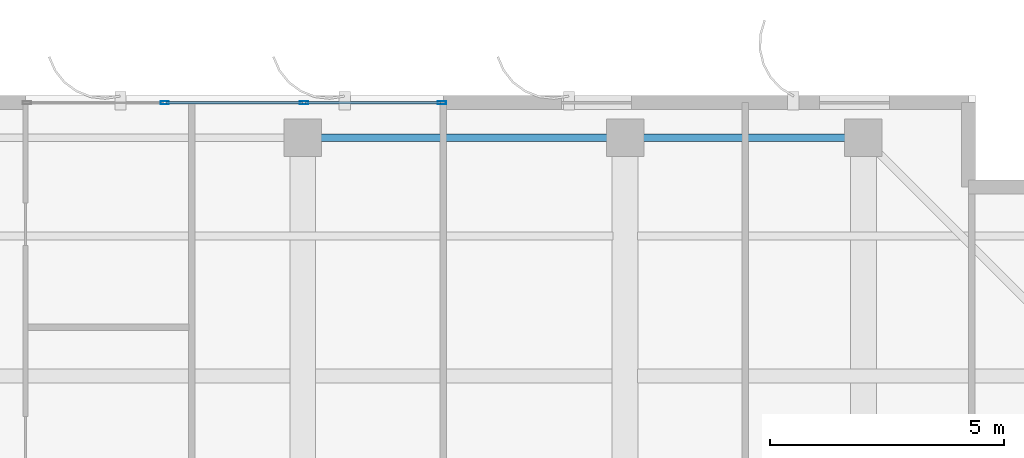
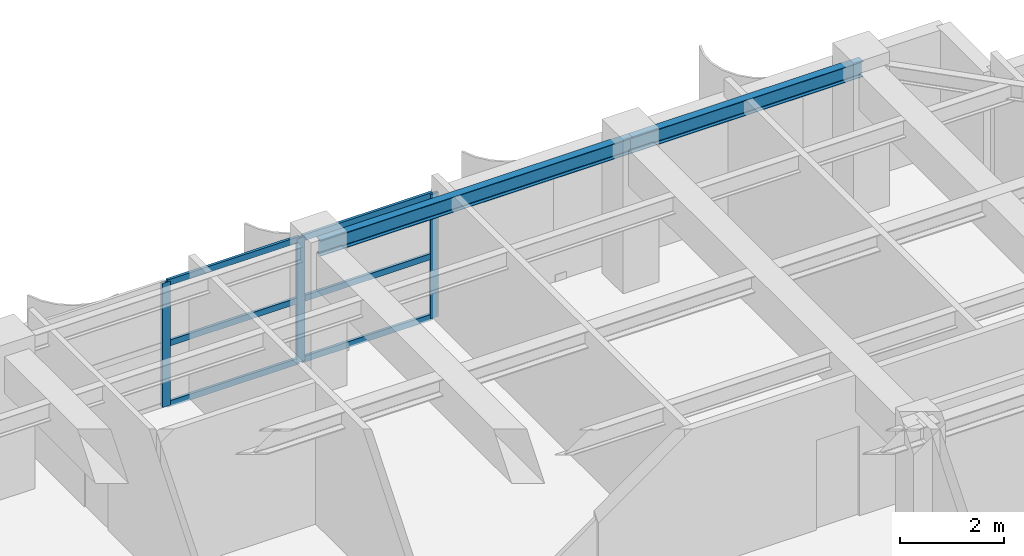
# One storey, part 12 of 19: 9 members, 2 beams, 1 element without a shape of its own.
"""IFC4 building model written with IfcOpenShell, lengths in metres."""

from ifc_helpers import new_model, si_unit, direction, frame, origin, origin_2d, place, context, subcontext, project, spatial, hollow_rectangle, i_section, extrude, source, transform, mapped, material, layer, layer_set, material_profile, profile_set, type_object, element, aggregate, save


model = new_model("IFC4")

# Units and contexts
model_context = context("Model", 3, precision=1e-05, world=origin(), true_north=direction((0.0, 1.0)))
body_context = subcontext(model_context, "Body", "Model", "MODEL_VIEW")
ifc_project = project(units=[si_unit("LENGTHUNIT", "METRE"), si_unit("AREAUNIT", "SQUARE_METRE"), si_unit("VOLUMEUNIT", "CUBIC_METRE"), si_unit("PLANEANGLEUNIT", "RADIAN"), si_unit("MASSUNIT", "GRAM", prefix="KILO")], contexts=[model_context])

# Site, building, storey
site_placement = place(None, origin())
site = spatial("IfcSite", under=ifc_project, at=site_placement, CompositionType="ELEMENT")
building_placement = place(site_placement, origin())
building = spatial("IfcBuilding", under=site, at=building_placement, Name="Khoralis Quay Care Tower", CompositionType="ELEMENT")
storey_placement = place(building_placement, frame((0.0, 0.0, 281.699951171875)))
storey = spatial("IfcBuildingStorey", under=building, at=storey_placement, Name="L74", CompositionType="ELEMENT", Elevation=281.699951171875)

# Beams
ifc_material_1 = material(Name="Steel S355", Category="steel")
ifc_material_profile_1 = material_profile(ifc_material_1, i_section(OverallWidth=0.169921875, OverallDepth=0.360107421875, WebThickness=0.008056640625, FlangeThickness=0.0126953125, FilletRadius=0.01806640625, at=origin_2d()), Name="Steel S355")
ifc_profile_set_1 = profile_set([ifc_material_profile_1], Name="Steel S355")
beam_type = type_object("IfcBeamType", Name="BM-IPE360", PredefinedType="SPANDREL", material=ifc_profile_set_1)
shared_shape_1 = source(origin(), body_context, "Body", "SweptSolid", [
    extrude(i_section(OverallWidth=0.169921875, OverallDepth=0.360107421875, WebThickness=0.008056640625, FlangeThickness=0.0126953125, FilletRadius=0.01806640625, at=origin_2d()), origin(), (0.0, 0.0, 1.0), 5.10009765625),
])
beam_1_placement = place(storey_placement, frame((30.89990234375, 41.10009765625, 3.14013671875), z_axis=(1.0, 0.0, 0.0), x_axis=(0.0, 1.0, 0.0)))
element("IfcBeam", 1, at=beam_1_placement, inside=storey, type_object=beam_type, Name="BM-TSP-L74-08", PredefinedType="SPANDREL", context=body_context, shape_type="MappedRepresentation", body=[
    mapped(shared_shape_1, transform((0.0, 0.0, 0.0), scale=1.0)),
])
shared_shape_2 = source(origin(), body_context, "Body", "SweptSolid", [
    extrude(i_section(OverallWidth=0.169921875, OverallDepth=0.360107421875, WebThickness=0.008056640625, FlangeThickness=0.0126953125, FilletRadius=0.01806640625, at=origin_2d()), origin(), (0.0, 0.0, 1.0), 6.89990234375),
])
beam_2_placement = place(storey_placement, frame((24.0, 41.10009765625, 3.14013671875), z_axis=(1.0, 0.0, 0.0), x_axis=(0.0, 1.0, 0.0)))
element("IfcBeam", 2, at=beam_2_placement, inside=storey, type_object=beam_type, Name="BM-TSP-L74-07", PredefinedType="SPANDREL", context=body_context, shape_type="MappedRepresentation", body=[
    mapped(shared_shape_2, transform((0.0, 0.0, 0.0), scale=1.0)),
])

# Curtain wall, members
ifc_material_2 = material(Name="Pale anodised aluminium", Category="aluminium")
ifc_layer = layer(ifc_material_2, 0.159912109375)
ifc_layer_set = layer_set([ifc_layer], Name="Pale anodised aluminium")
curtain_wall_type = type_object("IfcCurtainWallType", Name="CW-SYS-Z3", PredefinedType="NOTDEFINED", material=ifc_layer_set)
curtain_wall_placement = place(storey_placement, origin())
curtain_wall = element("IfcCurtainWall", 3, at=curtain_wall_placement, inside=storey, type_object=curtain_wall_type, Name="L74 Unitised Curtain Wall CW-L74-P1-E10", PredefinedType="NOTDEFINED")
ifc_material_profile_2 = material_profile(ifc_material_2, hollow_rectangle(XDim=0.06494140625, YDim=0.179931640625, WallThickness=0.00390625, at=origin_2d()), Name="Pale anodised aluminium")
ifc_profile_set_2 = profile_set([ifc_material_profile_2], Name="Pale anodised aluminium")
member_type_1 = type_object("IfcMemberType", Name="CW-MUL-180", PredefinedType="MULLION", material=ifc_profile_set_2)
shared_shape_3 = source(origin(), body_context, "Body", "SweptSolid", [
    extrude(hollow_rectangle(XDim=0.06494140625, YDim=0.179931640625, WallThickness=0.00390625, at=origin_2d()), origin(), (0.0, 0.0, 1.0), 2.900146484375),
])
member_1_placement = place(storey_placement, frame((26.97998046875, 41.85009765625, 0.0), z_axis=(0.0, 0.0, 1.0), x_axis=(0.0, -1.0, 0.0)))
member_1 = element("IfcMember", 4, at=member_1_placement, type_object=member_type_1, Name="CW3 mullion 1", PredefinedType="MULLION", context=body_context, shape_type="MappedRepresentation", body=[
    mapped(shared_shape_3, transform((0.0, 0.0, 0.0), scale=1.0)),
])
member_2_placement = place(storey_placement, frame((24.030029296875, 41.85009765625, 0.0), z_axis=(0.0, 0.0, 1.0), x_axis=(0.0, -1.0, 0.0)))
member_2 = element("IfcMember", 5, at=member_2_placement, type_object=member_type_1, Name="CW3 mullion 2", PredefinedType="MULLION", context=body_context, shape_type="MappedRepresentation", body=[
    mapped(shared_shape_3, transform((0.0, 0.0, 0.0), scale=1.0)),
])
member_3_placement = place(storey_placement, frame((21.050048828125, 41.85009765625, 0.0), z_axis=(0.0, 0.0, 1.0), x_axis=(0.0, -1.0, 0.0)))
member_3 = element("IfcMember", 6, at=member_3_placement, type_object=member_type_1, Name="CW3 mullion 3", PredefinedType="MULLION", context=body_context, shape_type="MappedRepresentation", body=[
    mapped(shared_shape_3, transform((0.0, 0.0, 0.0), scale=1.0)),
])
ifc_material_profile_3 = material_profile(ifc_material_2, hollow_rectangle(XDim=0.06005859375, YDim=0.139892578125, WallThickness=0.00390625, at=origin_2d()), Name="Pale anodised aluminium")
ifc_profile_set_3 = profile_set([ifc_material_profile_3], Name="Pale anodised aluminium")
member_type_2 = type_object("IfcMemberType", Name="CW-TRN-140", PredefinedType="USERDEFINED", material=ifc_profile_set_3)
shared_shape_4 = source(origin(), body_context, "Body", "SweptSolid", [
    extrude(hollow_rectangle(XDim=0.06005859375, YDim=0.139892578125, WallThickness=0.00390625, at=origin_2d()), origin(), (0.0, 0.0, 1.0), 2.889892578125),
])
member_4_placement = place(storey_placement, frame((26.949951171875, 41.85009765625, 0.030029296875), z_axis=(-1.0, 0.0, 0.0), x_axis=(0.0, -1.0, 0.0)))
member_4 = element("IfcMember", 7, at=member_4_placement, type_object=member_type_2, Name="CW3 transom 1.1", ObjectType="TRANSOM", PredefinedType="USERDEFINED", context=body_context, shape_type="MappedRepresentation", body=[
    mapped(shared_shape_4, transform((0.0, 0.0, 0.0), scale=1.0)),
])
member_5_placement = place(storey_placement, frame((26.949951171875, 41.85009765625, 1.449951171875), z_axis=(-1.0, 0.0, 0.0), x_axis=(0.0, -1.0, 0.0)))
member_5 = element("IfcMember", 8, at=member_5_placement, type_object=member_type_2, Name="CW3 transom 1.2", ObjectType="TRANSOM", PredefinedType="USERDEFINED", context=body_context, shape_type="MappedRepresentation", body=[
    mapped(shared_shape_4, transform((0.0, 0.0, 0.0), scale=1.0)),
])
member_6_placement = place(storey_placement, frame((26.949951171875, 41.85009765625, 2.8701171875), z_axis=(-1.0, 0.0, 0.0), x_axis=(0.0, -1.0, 0.0)))
member_6 = element("IfcMember", 9, at=member_6_placement, type_object=member_type_2, Name="CW3 transom 1.3", ObjectType="TRANSOM", PredefinedType="USERDEFINED", context=body_context, shape_type="MappedRepresentation", body=[
    mapped(shared_shape_4, transform((0.0, 0.0, 0.0), scale=1.0)),
])
shared_shape_5 = source(origin(), body_context, "Body", "SweptSolid", [
    extrude(hollow_rectangle(XDim=0.06005859375, YDim=0.139892578125, WallThickness=0.00390625, at=origin_2d()), origin(), (0.0, 0.0, 1.0), 2.919921875),
])
member_7_placement = place(storey_placement, frame((24.0, 41.85009765625, 0.030029296875), z_axis=(-1.0, 0.0, 0.0), x_axis=(0.0, -1.0, 0.0)))
member_7 = element("IfcMember", 10, at=member_7_placement, type_object=member_type_2, Name="CW3 transom 2.1", ObjectType="TRANSOM", PredefinedType="USERDEFINED", context=body_context, shape_type="MappedRepresentation", body=[
    mapped(shared_shape_5, transform((0.0, 0.0, 0.0), scale=1.0)),
])
member_8_placement = place(storey_placement, frame((24.0, 41.85009765625, 1.449951171875), z_axis=(-1.0, 0.0, 0.0), x_axis=(0.0, -1.0, 0.0)))
member_8 = element("IfcMember", 11, at=member_8_placement, type_object=member_type_2, Name="CW3 transom 2.2", ObjectType="TRANSOM", PredefinedType="USERDEFINED", context=body_context, shape_type="MappedRepresentation", body=[
    mapped(shared_shape_5, transform((0.0, 0.0, 0.0), scale=1.0)),
])
member_9_placement = place(storey_placement, frame((24.0, 41.85009765625, 2.8701171875), z_axis=(-1.0, 0.0, 0.0), x_axis=(0.0, -1.0, 0.0)))
member_9 = element("IfcMember", 12, at=member_9_placement, type_object=member_type_2, Name="CW3 transom 2.3", ObjectType="TRANSOM", PredefinedType="USERDEFINED", context=body_context, shape_type="MappedRepresentation", body=[
    mapped(shared_shape_5, transform((0.0, 0.0, 0.0), scale=1.0)),
])
aggregate(curtain_wall, [member_1, member_2, member_3, member_4, member_5, member_6, member_7, member_8, member_9])

save(model, "model.ifc")
